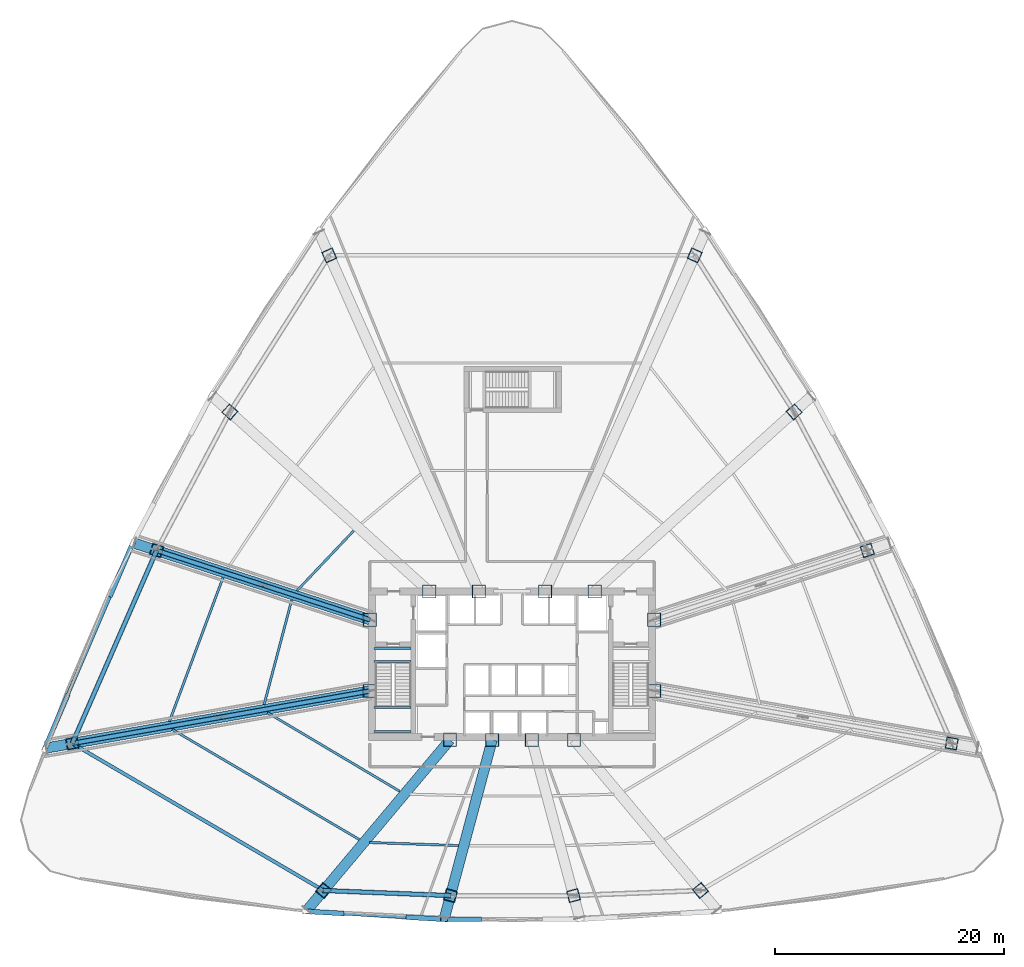
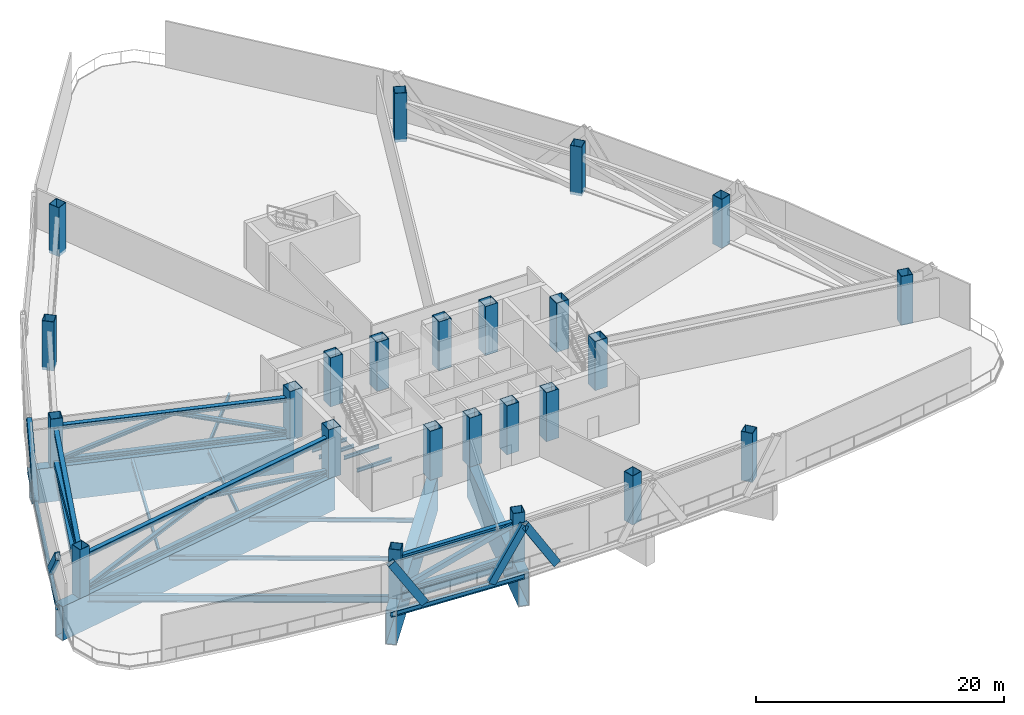
# One storey, part 1 of 17: 24 columns, 19 beams, 19 members.
"""IFC4 building model written with IfcOpenShell, lengths in metres."""

from ifc_helpers import new_model, si_unit, direction, frame, origin, origin_2d, place, context, subcontext, project, spatial, hollow_rectangle, i_section, extrude, source, transform, mapped, material, material_profile, profile_set, type_object, element, save


model = new_model("IFC4")

# Units and contexts
model_context = context("Model", 3, precision=1e-05, world=origin(), true_north=direction((0.0, 1.0)))
body_context = subcontext(model_context, "Body", "Model", "MODEL_VIEW")
ifc_project = project(units=[si_unit("LENGTHUNIT", "METRE"), si_unit("AREAUNIT", "SQUARE_METRE"), si_unit("VOLUMEUNIT", "CUBIC_METRE"), si_unit("PLANEANGLEUNIT", "RADIAN"), si_unit("MASSUNIT", "GRAM", prefix="KILO"), si_unit("THERMODYNAMICTEMPERATUREUNIT", "KELVIN"), si_unit("POWERUNIT", "WATT")], contexts=[model_context])

# Site, building, storey
site_placement = place(None, origin())
site = spatial("IfcSite", under=ifc_project, at=site_placement, CompositionType="ELEMENT")
building_placement = place(site_placement, origin())
building = spatial("IfcBuilding", under=site, at=building_placement, Name="Yunzhuo Pagoda Commons", CompositionType="ELEMENT")
storey_placement = place(building_placement, frame((0.0, 0.0, 76.3798828125)))
storey = spatial("IfcBuildingStorey", under=building, at=storey_placement, Name="L19", CompositionType="ELEMENT", Elevation=76.3798828125)

# Columns
ifc_material_1 = material(Name="Structural steel Q420B", Category="steel")
ifc_material_profile_1 = material_profile(ifc_material_1, hollow_rectangle(XDim=1.14990234375, YDim=1.14990234375, WallThickness=0.048095703125, at=origin_2d()), Name="Structural steel Q420B")
ifc_profile_set_1 = profile_set([ifc_material_profile_1], Name="Structural steel Q420B")
column_type_1 = type_object("IfcColumnType", Name="C-COR Column BOX 1150x1150x48", PredefinedType="COLUMN", material=ifc_profile_set_1)
shared_shape_1 = source(origin(), body_context, "Body", "SweptSolid", [
    extrude(hollow_rectangle(XDim=1.14990234375, YDim=1.14990234375, WallThickness=0.048095703125, at=origin_2d()), origin(), (0.0, 0.0, 1.0), 4.81982421875),
])
for number, where, z_axis, x_axis, name in (
    (1, (42.587890625, 27.25, -0.27978515625), (0.0, 0.0, 1.0), (1.0, 0.0, 0.0), "L19 core composite column F1C1"),
    (2, (46.27197265625, 27.25, -0.27978515625), (0.0, 0.0, 1.0), (1.0, 0.0, 0.0), "L19 core composite column F1C2"),
    (3, (49.728515625, 27.25, -0.27978515625), (0.0, 0.0, 1.0), (1.0, 0.0, 0.0), "L19 core composite column F1C3"),
    (4, (53.412109375, 27.25, -0.27978515625), (0.0, 0.0, 1.0), (1.0, 0.0, 0.0), "L19 core composite column F1C4"),
    (5, (60.39990234375, 31.513427734375, -0.27978515625), (0.0, 0.0, 1.0), (1.0, 0.0, 0.0), "L19 core composite column F2C1"),
    (6, (60.39990234375, 37.72900390625, -0.27978515625), (0.0, 0.0, 1.0), (1.0, 0.0, 0.0), "L19 core composite column F2C2"),
    (7, (55.218994140625, 40.199951171875, -0.27978515625), (0.0, 0.0, 1.0), (1.0, 0.0, 0.0), "L19 core composite column F2C3"),
    (8, (50.89404296875, 40.199951171875, -0.27978515625), (0.0, 0.0, 1.0), (1.0, 0.0, 0.0), "L19 core composite column F2C4"),
    (9, (45.10595703125, 40.199951171875, -0.27978515625), (0.0, 0.0, 1.0), (1.0, 0.0, 0.0), "L19 core composite column F3C1"),
    (10, (40.781005859375, 40.199951171875, -0.27978515625), (0.0, 0.0, 1.0), (1.0, 0.0, 0.0), "L19 core composite column F3C2"),
    (11, (35.60009765625, 37.72900390625, -0.27978515625), (0.0, 0.0, 1.0), (1.0, 0.0, 0.0), "L19 core composite column F3C3"),
    (12, (35.60009765625, 31.513427734375, -0.27978515625), (0.0, 0.0, 1.0), (1.0, 0.0, 0.0), "L19 core composite column F3C4"),
):
    element("IfcColumn", number, at=place(storey_placement, frame(where, z_axis=z_axis, x_axis=x_axis)), inside=storey, type_object=column_type_1, Name=name, PredefinedType="COLUMN", context=body_context, shape_type="MappedRepresentation", body=[
        mapped(shared_shape_1, transform((0.0, 0.0, 0.0), scale=1.0)),
    ])
ifc_material_profile_2 = material_profile(ifc_material_1, hollow_rectangle(XDim=1.0, YDim=1.0, WallThickness=0.0419921875, at=origin_2d()), Name="Structural steel Q420B")
ifc_profile_set_2 = profile_set([ifc_material_profile_2], Name="Structural steel Q420B")
column_type_2 = type_object("IfcColumnType", Name="C-Z2 Column BOX 1000x1000x42", PredefinedType="COLUMN", material=ifc_profile_set_2)
shared_shape_2 = source(origin(), body_context, "Body", "SweptSolid", [
    extrude(hollow_rectangle(XDim=1.0, YDim=1.0, WallThickness=0.0419921875, at=origin_2d()), origin(), (0.0, 0.0, 1.0), 4.81982421875),
])
for number, where, z_axis, x_axis, name in (
    (13, (31.56396484375, 14.1123046875, -0.27978515625), (0.0, 0.0, 1.0), (0.766044443119, -0.642787609687, 0.0), "L19 tower column F1C1"),
    (14, (42.632568359375, 13.66845703125, -0.27978515625), (0.0, 0.0, 1.0), (0.965925826289, -0.258819045103, 0.0), "L19 tower column F1C2"),
    (15, (53.367431640625, 13.66845703125, -0.27978515625), (0.0, 0.0, 1.0), (0.965925826289, 0.258819045103, 0.0), "L19 tower column F1C3"),
    (16, (64.43603515625, 14.1123046875, -0.27978515625), (0.0, 0.0, 1.0), (0.766044443119, 0.642787609687, 0.0), "L19 tower column F1C4"),
    (17, (86.352783203125, 26.9375, -0.27978515625), (0.0, 0.0, 1.0), (0.173648177667, 0.984807753012, 0.0), "L19 tower column F2C1"),
    (18, (78.99072265625, 43.76953125, -0.27978515625), (0.0, 0.0, 1.0), (-0.309016994375, 0.951056516295, 0.0), "L19 tower column F2C2"),
    (19, (72.602783203125, 55.852294921875, -0.27978515625), (0.0, 0.0, 1.0), (-0.669130606359, 0.743144825477, 0.0), "L19 tower column F2C3"),
    (20, (63.94140625, 69.505126953125, -0.27978515625), (0.0, 0.0, 1.0), (-0.913545457643, 0.406736643076, 0.0), "L19 tower column F2C4"),
    (21, (32.05859375, 69.505126953125, -0.27978515625), (0.0, 0.0, 1.0), (-0.913545457643, -0.406736643076, 0.0), "L19 tower column F3C1"),
    (22, (23.397216796875, 55.852294921875, -0.27978515625), (0.0, 0.0, 1.0), (-0.669130606359, -0.743144825477, 0.0), "L19 tower column F3C2"),
    (23, (17.00927734375, 43.76953125, -0.27978515625), (0.0, 0.0, 1.0), (-0.309016994375, -0.951056516295, 0.0), "L19 tower column F3C3"),
    (24, (9.647216796875, 26.9375, -0.27978515625), (0.0, 0.0, 1.0), (0.173648177667, -0.984807753012, 0.0), "L19 tower column F3C4"),
):
    element("IfcColumn", number, at=place(storey_placement, frame(where, z_axis=z_axis, x_axis=x_axis)), inside=storey, type_object=column_type_2, Name=name, PredefinedType="COLUMN", context=body_context, shape_type="MappedRepresentation", body=[
        mapped(shared_shape_2, transform((0.0, 0.0, 0.0), scale=1.0)),
    ])

# Beams
ifc_material_2 = material(Name="Structural steel Q355B", Category="steel")
ifc_material_profile_3 = material_profile(ifc_material_2, i_section(OverallWidth=0.175048828125, OverallDepth=0.35009765625, WebThickness=0.007080078125, FlangeThickness=0.010986328125, at=origin_2d()), Name="Structural steel Q355B")
ifc_profile_set_3 = profile_set([ifc_material_profile_3], Name="Structural steel Q355B")
beam_type_1 = type_object("IfcBeamType", Name="B-JS2 Joist HN 350x175x7x11", PredefinedType="JOIST", material=ifc_profile_set_3)
shared_shape_3 = source(origin(), body_context, "Body", "SweptSolid", [
    extrude(i_section(OverallWidth=0.175048828125, OverallDepth=0.35009765625, WebThickness=0.007080078125, FlangeThickness=0.010986328125, at=origin_2d()), origin(), (0.0, 0.0, 1.0), 3.25),
])
for number, where, z_axis, x_axis, name in (
    (25, (35.949951171875, 28.0, 2.025146484375), (1.0, 0.0, 0.0), (0.0, 1.0, 0.0), "L19 ST1 landing support beam 25A"),
    (26, (35.949951171875, 30.06005859375, 2.025146484375), (1.0, 0.0, 0.0), (0.0, 1.0, 0.0), "L19 ST1 landing support beam 25B"),
    (27, (35.949951171875, 34.10009765625, -0.375), (1.0, 0.0, 0.0), (0.0, 1.0, 0.0), "L19 ST1 landing support beam 123A"),
    (28, (35.949951171875, 35.199951171875, -0.375), (1.0, 0.0, 0.0), (0.0, 1.0, 0.0), "L19 ST1 landing support beam 123B"),
):
    element("IfcBeam", number, at=place(storey_placement, frame(where, z_axis=z_axis, x_axis=x_axis)), inside=storey, type_object=beam_type_1, Name=name, PredefinedType="JOIST", context=body_context, shape_type="MappedRepresentation", body=[
        mapped(shared_shape_3, transform((0.0, 0.0, 0.0), scale=1.0)),
    ])
ifc_material_profile_4 = material_profile(ifc_material_1, hollow_rectangle(XDim=0.89990234375, YDim=3.35009765625, WallThickness=0.048095703125, at=origin_2d()), Name="Structural steel Q420B")
ifc_profile_set_4 = profile_set([ifc_material_profile_4], Name="Structural steel Q420B")
beam_type_2 = type_object("IfcBeamType", Name="BTR-2 Beam BOX 3350x900x48", PredefinedType="BEAM", material=ifc_profile_set_4)
shared_shape_4 = source(origin(), body_context, "Body", "SweptSolid", [
    extrude(hollow_rectangle(XDim=0.89990234375, YDim=3.35009765625, WallThickness=0.048095703125, at=origin_2d()), origin(), (0.0, 0.0, 1.0), 19.369140625),
])
beam_1_placement = place(storey_placement, frame((30.137451171875, 12.41259765625, -1.954833984375), z_axis=(0.642799141194, 0.766034766887, 0.0), x_axis=(-0.766034766887, 0.642799141194, 0.0)))
element("IfcBeam", 29, at=beam_1_placement, inside=storey, type_object=beam_type_2, Name="BTR-2 L19 collinear transfer girder F1C1", PredefinedType="BEAM", context=body_context, shape_type="MappedRepresentation", body=[
    mapped(shared_shape_4, transform((0.0, 0.0, 0.0), scale=1.0)),
])
shared_shape_5 = source(origin(), body_context, "Body", "SweptSolid", [
    extrude(hollow_rectangle(XDim=0.89990234375, YDim=3.35009765625, WallThickness=0.048095703125, at=origin_2d()), origin(), (0.0, 0.0, 1.0), 16.046142578125),
])
beam_2_placement = place(storey_placement, frame((42.11865234375, 11.750732421875, -1.954833984375), z_axis=(0.258836726118, 0.965921088502, 0.0), x_axis=(-0.965921088502, 0.258836726118, 0.0)))
element("IfcBeam", 30, at=beam_2_placement, inside=storey, type_object=beam_type_2, Name="BTR-2 L19 collinear transfer girder F1C2", PredefinedType="BEAM", context=body_context, shape_type="MappedRepresentation", body=[
    mapped(shared_shape_5, transform((0.0, 0.0, 0.0), scale=1.0)),
])
shared_shape_6 = source(origin(), body_context, "Body", "SweptSolid", [
    extrude(hollow_rectangle(XDim=0.89990234375, YDim=3.35009765625, WallThickness=0.048095703125, at=origin_2d()), origin(), (0.0, 0.0, 1.0), 28.625),
])
beam_3_placement = place(storey_placement, frame((7.409912109375, 26.54296875, -1.954833984375), z_axis=(0.984809134913, 0.173640340337, 0.0), x_axis=(-0.173640340337, 0.984809134913, 0.0)))
element("IfcBeam", 31, at=beam_3_placement, inside=storey, type_object=beam_type_2, Name="BTR-2 L19 collinear transfer girder F3C4", PredefinedType="BEAM", context=body_context, shape_type="MappedRepresentation", body=[
    mapped(shared_shape_6, transform((0.0, 0.0, 0.0), scale=1.0)),
])
shared_shape_7 = source(origin(), body_context, "Body", "SweptSolid", [
    extrude(hollow_rectangle(XDim=0.89990234375, YDim=3.35009765625, WallThickness=0.048095703125, at=origin_2d()), origin(), (0.0, 0.0, 1.0), 21.57373046875),
])
beam_4_placement = place(storey_placement, frame((15.082275390625, 44.3955078125, -1.954833984375), z_axis=(0.951058432611, -0.309011096499, 0.0), x_axis=(0.309011096499, 0.951058432611, 0.0)))
element("IfcBeam", 32, at=beam_4_placement, inside=storey, type_object=beam_type_2, Name="BTR-2 L19 collinear transfer girder F3C3", PredefinedType="BEAM", context=body_context, shape_type="MappedRepresentation", body=[
    mapped(shared_shape_7, transform((0.0, 0.0, 0.0), scale=1.0)),
])
ifc_material_profile_5 = material_profile(ifc_material_2, i_section(OverallWidth=0.300048828125, OverallDepth=0.488037109375, WebThickness=0.010986328125, FlangeThickness=0.01806640625, at=origin_2d()), Name="Structural steel Q355B")
ifc_profile_set_5 = profile_set([ifc_material_profile_5], Name="Structural steel Q355B")
beam_type_3 = type_object("IfcBeamType", Name="B-SP1 Beam HM 488x300x11x18", PredefinedType="BEAM", material=ifc_profile_set_5)
shared_shape_8 = source(origin(), body_context, "Body", "SweptSolid", [
    extrude(i_section(OverallWidth=0.300048828125, OverallDepth=0.488037109375, WebThickness=0.010986328125, FlangeThickness=0.01806640625, at=origin_2d()), origin(), (0.0, 0.0, 1.0), 12.060791015625),
])
beam_5_placement = place(storey_placement, frame((30.037841796875, 12.293701171875, -0.52392578125), z_axis=(0.99834961986, -0.057428534065, 0.0), x_axis=(0.057428534065, 0.99834961986, 0.0)))
element("IfcBeam", 33, at=beam_5_placement, inside=storey, type_object=beam_type_3, Name="L19 facade edge spandrel beam F1.1", PredefinedType="BEAM", context=body_context, shape_type="MappedRepresentation", body=[
    mapped(shared_shape_8, transform((0.0, 0.0, 0.0), scale=1.0)),
])
shared_shape_9 = source(origin(), body_context, "Body", "SweptSolid", [
    extrude(i_section(OverallWidth=0.300048828125, OverallDepth=0.488037109375, WebThickness=0.010986328125, FlangeThickness=0.01806640625, at=origin_2d()), origin(), (0.0, 0.0, 1.0), 19.5029296875),
])
beam_6_placement = place(storey_placement, frame((14.93505859375, 44.44384765625, -0.52392578125), z_axis=(-0.393683598901, -0.919246008398, 0.0), x_axis=(0.919246008398, -0.393683598901, 0.0)))
element("IfcBeam", 34, at=beam_6_placement, inside=storey, type_object=beam_type_3, Name="L19 facade edge spandrel beam F3.3", PredefinedType="BEAM", context=body_context, shape_type="MappedRepresentation", body=[
    mapped(shared_shape_9, transform((0.0, 0.0, 0.0), scale=1.0)),
])
ifc_material_profile_6 = material_profile(ifc_material_2, i_section(OverallWidth=0.300048828125, OverallDepth=0.699951171875, WebThickness=0.012939453125, FlangeThickness=0.02392578125, at=origin_2d()), Name="Structural steel Q355B")
ifc_profile_set_6 = profile_set([ifc_material_profile_6], Name="Structural steel Q355B")
beam_type_4 = type_object("IfcBeamType", Name="B-RG1 Beam HN 700x300x13x24", PredefinedType="BEAM", material=ifc_profile_set_6)
shared_shape_10 = source(origin(), body_context, "Body", "SweptSolid", [
    extrude(i_section(OverallWidth=0.300048828125, OverallDepth=0.699951171875, WebThickness=0.012939453125, FlangeThickness=0.02392578125, at=origin_2d()), origin(), (0.0, 0.0, 1.0), 11.077392578125),
])
beam_7_placement = place(storey_placement, frame((31.56396484375, 14.1123046875, -0.6298828125), z_axis=(0.999196975427, -0.040067496776, 0.0), x_axis=(0.040067496776, 0.999196975427, 0.0)))
element("IfcBeam", 35, at=beam_7_placement, inside=storey, type_object=beam_type_4, Name="L19 column-ring beam 1", PredefinedType="BEAM", context=body_context, shape_type="MappedRepresentation", body=[
    mapped(shared_shape_10, transform((0.0, 0.0, 0.0), scale=1.0)),
])
ifc_material_profile_7 = material_profile(ifc_material_2, i_section(OverallWidth=0.199951171875, OverallDepth=0.39990234375, WebThickness=0.008056640625, FlangeThickness=0.012939453125, at=origin_2d()), Name="Structural steel Q355B")
ifc_profile_set_7 = profile_set([ifc_material_profile_7], Name="Structural steel Q355B")
beam_type_5 = type_object("IfcBeamType", Name="B-JS1 Joist HN 400x200x8x13", PredefinedType="JOIST", material=ifc_profile_set_7)
shared_shape_11 = source(origin(), body_context, "Body", "SweptSolid", [
    extrude(i_section(OverallWidth=0.199951171875, OverallDepth=0.39990234375, WebThickness=0.008056640625, FlangeThickness=0.012939453125, at=origin_2d()), origin(), (0.0, 0.0, 1.0), 7.7568359375),
])
beam_8_placement = place(storey_placement, frame((35.568359375, 18.2998046875, -0.47998046875), z_axis=(0.999399402218, -0.03465306402, 0.0), x_axis=(0.03465306402, 0.999399402218, 0.0)))
element("IfcBeam", 36, at=beam_8_placement, inside=storey, type_object=beam_type_5, Name="L19 composite ring joist 2.1", PredefinedType="JOIST", context=body_context, shape_type="MappedRepresentation", body=[
    mapped(shared_shape_11, transform((0.0, 0.0, 0.0), scale=1.0)),
])
shared_shape_12 = source(origin(), body_context, "Body", "SweptSolid", [
    extrude(i_section(OverallWidth=0.300048828125, OverallDepth=0.699951171875, WebThickness=0.012939453125, FlangeThickness=0.02392578125, at=origin_2d()), origin(), (0.0, 0.0, 1.0), 25.3935546875),
])
beam_9_placement = place(storey_placement, frame((9.647216796875, 26.9375, -0.6298828125), z_axis=(0.863085207128, -0.505058338449, 0.0), x_axis=(0.505058338449, 0.863085207128, 0.0)))
element("IfcBeam", 37, at=beam_9_placement, inside=storey, type_object=beam_type_4, Name="L19 column-ring beam 12", PredefinedType="BEAM", context=body_context, shape_type="MappedRepresentation", body=[
    mapped(shared_shape_12, transform((0.0, 0.0, 0.0), scale=1.0)),
])
shared_shape_13 = source(origin(), body_context, "Body", "SweptSolid", [
    extrude(i_section(OverallWidth=0.199951171875, OverallDepth=0.39990234375, WebThickness=0.008056640625, FlangeThickness=0.012939453125, at=origin_2d()), origin(), (0.0, 0.0, 1.0), 13.426025390625),
])
beam_10_placement = place(storey_placement, frame((26.6669921875, 29.62255859375, -0.47998046875), z_axis=(0.859680071929, -0.510832823856, 0.0), x_axis=(0.510832823856, 0.859680071929, 0.0)))
element("IfcBeam", 38, at=beam_10_placement, inside=storey, type_object=beam_type_5, Name="L19 composite ring joist 1.12", PredefinedType="JOIST", context=body_context, shape_type="MappedRepresentation", body=[
    mapped(shared_shape_13, transform((0.0, 0.0, 0.0), scale=1.0)),
])
shared_shape_14 = source(origin(), body_context, "Body", "SweptSolid", [
    extrude(i_section(OverallWidth=0.199951171875, OverallDepth=0.39990234375, WebThickness=0.008056640625, FlangeThickness=0.012939453125, at=origin_2d()), origin(), (0.0, 0.0, 1.0), 18.932373046875),
])
beam_11_placement = place(storey_placement, frame((18.36328125, 28.159912109375, -0.47998046875), z_axis=(0.861859286872, -0.507147483117, 0.0), x_axis=(0.507147483117, 0.861859286872, 0.0)))
element("IfcBeam", 39, at=beam_11_placement, inside=storey, type_object=beam_type_5, Name="L19 composite ring joist 2.12", PredefinedType="JOIST", context=body_context, shape_type="MappedRepresentation", body=[
    mapped(shared_shape_14, transform((0.0, 0.0, 0.0), scale=1.0)),
])
shared_shape_15 = source(origin(), body_context, "Body", "SweptSolid", [
    extrude(i_section(OverallWidth=0.300048828125, OverallDepth=0.699951171875, WebThickness=0.012939453125, FlangeThickness=0.02392578125, at=origin_2d()), origin(), (0.0, 0.0, 1.0), 18.37158203125),
])
beam_12_placement = place(storey_placement, frame((17.00927734375, 43.76953125, -0.6298828125), z_axis=(-0.400729599795, -0.916196369698, 0.0), x_axis=(0.916196369698, -0.400729599795, 0.0)))
element("IfcBeam", 40, at=beam_12_placement, inside=storey, type_object=beam_type_4, Name="L19 column-ring beam 11", PredefinedType="BEAM", context=body_context, shape_type="MappedRepresentation", body=[
    mapped(shared_shape_15, transform((0.0, 0.0, 0.0), scale=1.0)),
])
shared_shape_16 = source(origin(), body_context, "Body", "SweptSolid", [
    extrude(i_section(OverallWidth=0.199951171875, OverallDepth=0.39990234375, WebThickness=0.008056640625, FlangeThickness=0.012939453125, at=origin_2d()), origin(), (0.0, 0.0, 1.0), 9.42724609375),
])
beam_13_placement = place(storey_placement, frame((28.785400390625, 39.4423828125, -0.47998046875), z_axis=(-0.255268253642, -0.966870269831, 0.0), x_axis=(0.966870269831, -0.255268253642, 0.0)))
element("IfcBeam", 41, at=beam_13_placement, inside=storey, type_object=beam_type_5, Name="L19 composite ring joist 1.11", PredefinedType="JOIST", context=body_context, shape_type="MappedRepresentation", body=[
    mapped(shared_shape_16, transform((0.0, 0.0, 0.0), scale=1.0)),
])
shared_shape_17 = source(origin(), body_context, "Body", "SweptSolid", [
    extrude(i_section(OverallWidth=0.199951171875, OverallDepth=0.39990234375, WebThickness=0.008056640625, FlangeThickness=0.012939453125, at=origin_2d()), origin(), (0.0, 0.0, 1.0), 13.38330078125),
])
beam_14_placement = place(storey_placement, frame((22.791748046875, 41.3896484375, -0.47998046875), z_axis=(-0.349171527056, -0.937058826698, 0.0), x_axis=(0.937058826698, -0.349171527056, 0.0)))
element("IfcBeam", 42, at=beam_14_placement, inside=storey, type_object=beam_type_5, Name="L19 composite ring joist 2.11", PredefinedType="JOIST", context=body_context, shape_type="MappedRepresentation", body=[
    mapped(shared_shape_17, transform((0.0, 0.0, 0.0), scale=1.0)),
])
shared_shape_18 = source(origin(), body_context, "Body", "SweptSolid", [
    extrude(i_section(OverallWidth=0.199951171875, OverallDepth=0.39990234375, WebThickness=0.008056640625, FlangeThickness=0.012939453125, at=origin_2d()), origin(), (0.0, 0.0, 1.0), 7.2138671875),
])
beam_15_placement = place(storey_placement, frame((34.19482421875, 45.488525390625, -0.47998046875), z_axis=(-0.687500539282, -0.726183866859, 0.0), x_axis=(0.726183866859, -0.687500539282, 0.0)))
element("IfcBeam", 43, at=beam_15_placement, inside=storey, type_object=beam_type_5, Name="L19 composite ring joist 1.10", PredefinedType="JOIST", context=body_context, shape_type="MappedRepresentation", body=[
    mapped(shared_shape_18, transform((0.0, 0.0, 0.0), scale=1.0)),
])

# Members
ifc_material_profile_8 = material_profile(ifc_material_1, i_section(OverallWidth=0.406982421875, OverallDepth=0.427978515625, WebThickness=0.02001953125, FlangeThickness=0.034912109375, at=origin_2d()), Name="Structural steel Q420B")
ifc_profile_set_8 = profile_set([ifc_material_profile_8], Name="Structural steel Q420B")
member_type_1 = type_object("IfcMemberType", Name="M-OTC Chord HW 428x407x20x35", PredefinedType="CHORD", material=ifc_profile_set_8)
shared_shape_19 = source(origin(), body_context, "Body", "SweptSolid", [
    extrude(i_section(OverallWidth=0.406982421875, OverallDepth=0.427978515625, WebThickness=0.02001953125, FlangeThickness=0.034912109375, at=origin_2d()), origin(), (0.0, 0.0, 1.0), 26.353271484375),
])
for number, where, z_axis, x_axis, name in (
    (44, (35.60009765625, 31.513427734375, 0.070068359375), (-0.98480947511, -0.173638410882, 0.0), (0.173638410882, -0.98480947511, 0.0), "L19 outrigger bottom chord F3C4"),
    (45, (35.60009765625, 31.513427734375, 3.390380859375), (-0.98480947511, -0.173638410882, 0.0), (0.173638410882, -0.98480947511, 0.0), "L19 outrigger top chord F3C4"),
):
    element("IfcMember", number, at=place(storey_placement, frame(where, z_axis=z_axis, x_axis=x_axis)), inside=storey, type_object=member_type_1, Name=name, PredefinedType="CHORD", context=body_context, shape_type="MappedRepresentation", body=[
        mapped(shared_shape_19, transform((0.0, 0.0, 0.0), scale=1.0)),
    ])
ifc_material_profile_9 = material_profile(ifc_material_1, i_section(OverallWidth=0.35009765625, OverallDepth=0.35009765625, WebThickness=0.011962890625, FlangeThickness=0.01904296875, at=origin_2d()), Name="Structural steel Q420B")
ifc_profile_set_9 = profile_set([ifc_material_profile_9], Name="Structural steel Q420B")
member_type_2 = type_object("IfcMemberType", Name="M-OTB Brace HW 350x350x12x19", PredefinedType="BRACE", material=ifc_profile_set_9)
shared_shape_20 = source(origin(), body_context, "Body", "SweptSolid", [
    extrude(i_section(OverallWidth=0.35009765625, OverallDepth=0.35009765625, WebThickness=0.011962890625, FlangeThickness=0.01904296875, at=origin_2d()), origin(), (0.0, 0.0, 1.0), 13.588623046875),
])
member_1_placement = place(storey_placement, frame((22.623779296875, 29.2255859375, 3.390380859375), z_axis=(-0.954957065902, -0.168382330329, -0.244344824207), x_axis=(0.173645811473, -0.984808170233, 0.0)))
element("IfcMember", 46, at=member_1_placement, inside=storey, type_object=member_type_2, Name="L19 outrigger diagonal brace F3C4B", PredefinedType="BRACE", context=body_context, shape_type="MappedRepresentation", body=[
    mapped(shared_shape_20, transform((0.0, 0.0, 0.0), scale=1.0)),
])
shared_shape_21 = source(origin(), body_context, "Body", "SweptSolid", [
    extrude(i_section(OverallWidth=0.35009765625, OverallDepth=0.35009765625, WebThickness=0.011962890625, FlangeThickness=0.01904296875, at=origin_2d()), origin(), (0.0, 0.0, 1.0), 13.58837890625),
])
member_2_placement = place(storey_placement, frame((35.60009765625, 31.513427734375, 0.070068359375), z_axis=(-0.954958372716, -0.168367761862, 0.24434975577), x_axis=(0.173631010122, -0.984810779959, 0.0)))
element("IfcMember", 47, at=member_2_placement, inside=storey, type_object=member_type_2, Name="L19 outrigger diagonal brace F3C4A", PredefinedType="BRACE", context=body_context, shape_type="MappedRepresentation", body=[
    mapped(shared_shape_21, transform((0.0, 0.0, 0.0), scale=1.0)),
])
shared_shape_22 = source(origin(), body_context, "Body", "SweptSolid", [
    extrude(i_section(OverallWidth=0.406982421875, OverallDepth=0.427978515625, WebThickness=0.02001953125, FlangeThickness=0.034912109375, at=origin_2d()), origin(), (0.0, 0.0, 1.0), 19.547607421875),
])
for number, where, z_axis, x_axis, name in (
    (48, (35.60009765625, 37.72900390625, 0.070068359375), (-0.951056461342, 0.309017163504, 0.0), (-0.309017163504, -0.951056461342, 0.0), "L19 outrigger bottom chord F3C3"),
    (49, (35.60009765625, 37.72900390625, 3.390380859375), (-0.951056461342, 0.309017163504, 0.0), (-0.309017163504, -0.951056461342, 0.0), "L19 outrigger top chord F3C3"),
):
    element("IfcMember", number, at=place(storey_placement, frame(where, z_axis=z_axis, x_axis=x_axis)), inside=storey, type_object=member_type_1, Name=name, PredefinedType="CHORD", context=body_context, shape_type="MappedRepresentation", body=[
        mapped(shared_shape_22, transform((0.0, 0.0, 0.0), scale=1.0)),
    ])
shared_shape_23 = source(origin(), body_context, "Body", "SweptSolid", [
    extrude(i_section(OverallWidth=0.35009765625, OverallDepth=0.35009765625, WebThickness=0.011962890625, FlangeThickness=0.01904296875, at=origin_2d()), origin(), (0.0, 0.0, 1.0), 10.322509765625),
])
member_3_placement = place(storey_placement, frame((26.304931640625, 40.749267578125, 3.390380859375), z_axis=(-0.900516571803, 0.29258806329, -0.321655295509), x_axis=(-0.309009822475, -0.951058846557, 0.0)))
element("IfcMember", 50, at=member_3_placement, inside=storey, type_object=member_type_2, Name="L19 outrigger diagonal brace F3C3B", PredefinedType="BRACE", context=body_context, shape_type="MappedRepresentation", body=[
    mapped(shared_shape_23, transform((0.0, 0.0, 0.0), scale=1.0)),
])
shared_shape_24 = source(origin(), body_context, "Body", "SweptSolid", [
    extrude(i_section(OverallWidth=0.35009765625, OverallDepth=0.35009765625, WebThickness=0.011962890625, FlangeThickness=0.01904296875, at=origin_2d()), origin(), (0.0, 0.0, 1.0), 10.322021484375),
])
member_4_placement = place(storey_placement, frame((35.60009765625, 37.72900390625, 0.070068359375), z_axis=(-0.900507627799, 0.292600526975, 0.321668997402), x_axis=(-0.309024504863, -0.951054075957, 0.0)))
element("IfcMember", 51, at=member_4_placement, inside=storey, type_object=member_type_2, Name="L19 outrigger diagonal brace F3C3A", PredefinedType="BRACE", context=body_context, shape_type="MappedRepresentation", body=[
    mapped(shared_shape_24, transform((0.0, 0.0, 0.0), scale=1.0)),
])
ifc_material_profile_10 = material_profile(ifc_material_1, i_section(OverallWidth=0.39990234375, OverallDepth=0.39990234375, WebThickness=0.012939453125, FlangeThickness=0.02099609375, at=origin_2d()), Name="Structural steel Q420B")
ifc_profile_set_10 = profile_set([ifc_material_profile_10], Name="Structural steel Q420B")
member_type_3 = type_object("IfcMemberType", Name="M-BTC Chord HW 400x400x13x21", PredefinedType="CHORD", material=ifc_profile_set_10)
shared_shape_25 = source(origin(), body_context, "Body", "SweptSolid", [
    extrude(i_section(OverallWidth=0.39990234375, OverallDepth=0.39990234375, WebThickness=0.012939453125, FlangeThickness=0.02099609375, at=origin_2d()), origin(), (0.0, 0.0, 1.0), 11.077392578125),
])
for number, where, z_axis, x_axis, name in (
    (52, (31.56396484375, 14.1123046875, 0.070068359375), (0.999196975427, -0.040067496776, 0.0), (0.040067496776, 0.999196975427, 0.0), "L19 belt truss bottom chord 1"),
    (53, (31.56396484375, 14.1123046875, 3.390380859375), (0.999196975427, -0.040067496776, 0.0), (0.040067496776, 0.999196975427, 0.0), "L19 belt truss top chord 1"),
):
    element("IfcMember", number, at=place(storey_placement, frame(where, z_axis=z_axis, x_axis=x_axis)), inside=storey, type_object=member_type_3, Name=name, PredefinedType="CHORD", context=body_context, shape_type="MappedRepresentation", body=[
        mapped(shared_shape_25, transform((0.0, 0.0, 0.0), scale=1.0)),
    ])
ifc_material_profile_11 = material_profile(ifc_material_1, hollow_rectangle(XDim=0.39990234375, YDim=0.5, WallThickness=0.02392578125, at=origin_2d()), Name="Structural steel Q420B")
ifc_profile_set_11 = profile_set([ifc_material_profile_11], Name="Structural steel Q420B")
member_type_4 = type_object("IfcMemberType", Name="M-BTB Brace RHS 500x400x24", PredefinedType="BRACE", material=ifc_profile_set_11)
shared_shape_26 = source(origin(), body_context, "Body", "SweptSolid", [
    extrude(hollow_rectangle(XDim=0.39990234375, YDim=0.5, WallThickness=0.02392578125, at=origin_2d()), origin(), (0.0, 0.0, 1.0), 11.564453125),
])
member_5_placement = place(storey_placement, frame((31.56396484375, 14.1123046875, 0.070068359375), z_axis=(0.957126947338, -0.038380501362, 0.287114861676), x_axis=(0.040067496776, 0.999196975427, 0.0)))
element("IfcMember", 54, at=member_5_placement, inside=storey, type_object=member_type_4, Name="L19 belt truss diagonal brace 1A", PredefinedType="BRACE", context=body_context, shape_type="MappedRepresentation", body=[
    mapped(shared_shape_26, transform((0.0, 0.0, 0.0), scale=1.0)),
])
shared_shape_27 = source(origin(), body_context, "Body", "SweptSolid", [
    extrude(i_section(OverallWidth=0.39990234375, OverallDepth=0.39990234375, WebThickness=0.012939453125, FlangeThickness=0.02099609375, at=origin_2d()), origin(), (0.0, 0.0, 1.0), 18.37158203125),
])
for number, where, z_axis, x_axis, name in (
    (55, (17.00927734375, 43.76953125, 0.070068359375), (-0.400729599795, -0.916196369698, 0.0), (0.916196369698, -0.400729599795, 0.0), "L19 belt truss bottom chord 11"),
    (56, (17.00927734375, 43.76953125, 3.390380859375), (-0.400729599795, -0.916196369698, 0.0), (0.916196369698, -0.400729599795, 0.0), "L19 belt truss top chord 11"),
):
    element("IfcMember", number, at=place(storey_placement, frame(where, z_axis=z_axis, x_axis=x_axis)), inside=storey, type_object=member_type_3, Name=name, PredefinedType="CHORD", context=body_context, shape_type="MappedRepresentation", body=[
        mapped(shared_shape_27, transform((0.0, 0.0, 0.0), scale=1.0)),
    ])
shared_shape_28 = source(origin(), body_context, "Body", "SweptSolid", [
    extrude(hollow_rectangle(XDim=0.39990234375, YDim=0.5, WallThickness=0.02392578125, at=origin_2d()), origin(), (0.0, 0.0, 1.0), 18.669189453125),
])
member_6_placement = place(storey_placement, frame((17.00927734375, 43.76953125, 0.070068359375), z_axis=(-0.394341079186, -0.901590162939, 0.177849069041), x_axis=(0.916196369698, -0.400729599795, 0.0)))
element("IfcMember", 57, at=member_6_placement, inside=storey, type_object=member_type_4, Name="L19 belt truss diagonal brace 11A", PredefinedType="BRACE", context=body_context, shape_type="MappedRepresentation", body=[
    mapped(shared_shape_28, transform((0.0, 0.0, 0.0), scale=1.0)),
])
ifc_material_profile_12 = material_profile(ifc_material_1, hollow_rectangle(XDim=0.419921875, YDim=0.719970703125, WallThickness=0.028076171875, at=origin_2d()), Name="Structural steel Q420B")
ifc_profile_set_12 = profile_set([ifc_material_profile_12], Name="Structural steel Q420B")
member_type_5 = type_object("IfcMemberType", Name="M-DL1 Brace BOX 720x420x28", PredefinedType="BRACE", material=ifc_profile_set_12)
shared_shape_29 = source(origin(), body_context, "Body", "SweptSolid", [
    extrude(hollow_rectangle(XDim=0.419921875, YDim=0.719970703125, WallThickness=0.028076171875, at=origin_2d()), origin(), (0.0, 0.0, 1.0), 5.685302734375),
])
for number, where, z_axis, x_axis, name in (
    (58, (33.048095703125, 12.120849609375, -0.27978515625), (-0.529483697694, 0.030403443469, 0.847775114345), (-0.057326494961, -0.998355484272, 0.0), "L19 facade diamond brace F1.1L"),
    (59, (39.068359375, 11.774169921875, -0.27978515625), (0.529483005909, -0.030446346406, 0.847774006704), (0.057407197931, 0.99835084696, 0.0), "L19 facade diamond brace F1.1R"),
):
    element("IfcMember", number, at=place(storey_placement, frame(where, z_axis=z_axis, x_axis=x_axis)), inside=storey, type_object=member_type_5, Name=name, PredefinedType="BRACE", context=body_context, shape_type="MappedRepresentation", body=[
        mapped(shared_shape_29, transform((0.0, 0.0, 0.0), scale=1.0)),
    ])
shared_shape_30 = source(origin(), body_context, "Body", "SweptSolid", [
    extrude(hollow_rectangle(XDim=0.419921875, YDim=0.719970703125, WallThickness=0.028076171875, at=origin_2d()), origin(), (0.0, 0.0, 1.0), 5.656494140625),
])
member_7_placement = place(storey_placement, frame((45.039306640625, 11.60107421875, -0.27978515625), z_axis=(-0.523410943301, 0.0, 0.852080386133), x_axis=(0.0, -1.0, 0.0)))
element("IfcMember", 60, at=member_7_placement, inside=storey, type_object=member_type_5, Name="L19 facade diamond brace F1.2L", PredefinedType="BRACE", context=body_context, shape_type="MappedRepresentation", body=[
    mapped(shared_shape_30, transform((0.0, 0.0, 0.0), scale=1.0)),
])
shared_shape_31 = source(origin(), body_context, "Body", "SweptSolid", [
    extrude(hollow_rectangle(XDim=0.419921875, YDim=0.719970703125, WallThickness=0.028076171875, at=origin_2d()), origin(), (0.0, 0.0, 1.0), 6.85595703125),
])
for number, where, z_axis, x_axis, name in (
    (61, (13.015380859375, 39.961669921875, -0.27978515625), (0.279996544201, 0.653752582345, 0.703000352996), (-0.919238238382, 0.393701741293, 0.0), "L19 facade diamond brace F3.3L"),
    (62, (9.176513671875, 30.997802734375, -0.27978515625), (-0.279970243696, -0.653738709459, 0.703023728191), (0.919248598495, -0.393677551006, 0.0), "L19 facade diamond brace F3.3R"),
):
    element("IfcMember", number, at=place(storey_placement, frame(where, z_axis=z_axis, x_axis=x_axis)), inside=storey, type_object=member_type_5, Name=name, PredefinedType="BRACE", context=body_context, shape_type="MappedRepresentation", body=[
        mapped(shared_shape_31, transform((0.0, 0.0, 0.0), scale=1.0)),
    ])

save(model, "model.ifc")
